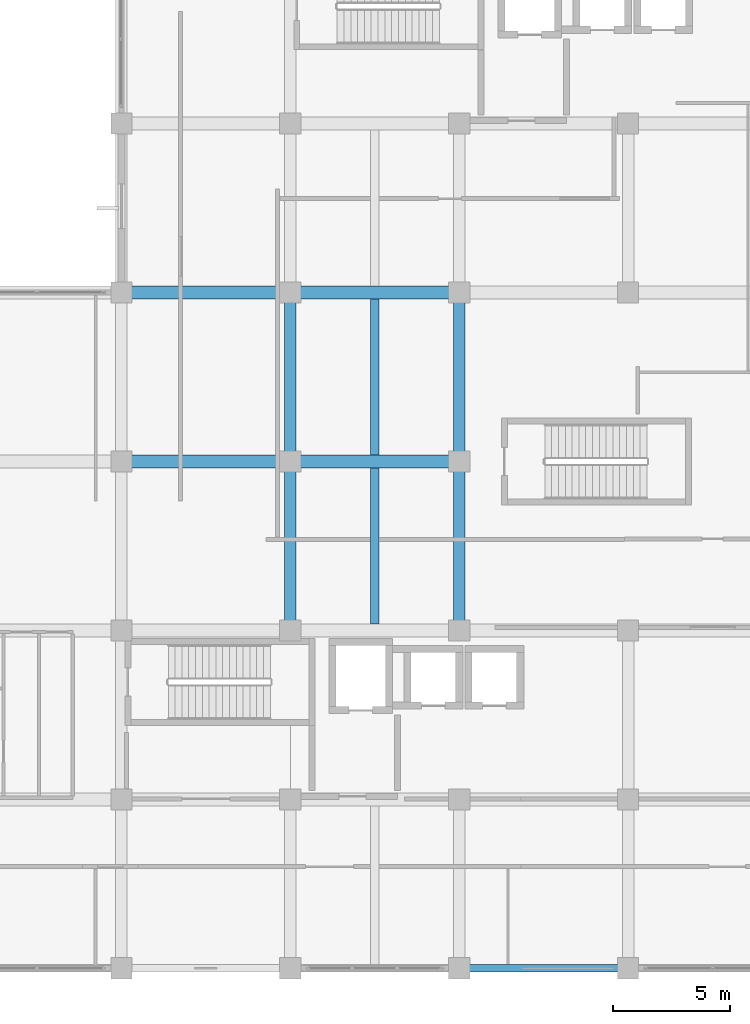
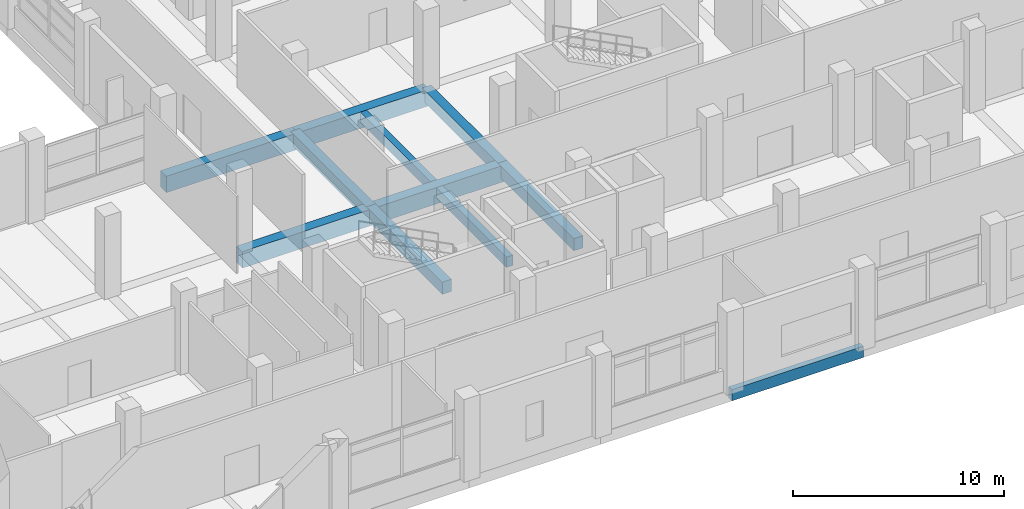
# One storey, part 39 of 181: 11 beams.
"""IFC4 building model written with IfcOpenShell, lengths in metres."""

from ifc_helpers import new_model, si_unit, direction, frame, origin, origin_2d, place, context, subcontext, project, spatial, rectangle, extrude, material, material_profile, profile_set, type_object, element, save


model = new_model("IFC4")

# Units and contexts
model_context = context("Model", 3, precision=1e-05, world=origin(), true_north=direction((0.0, 1.0)))
body_context = subcontext(model_context, "Body", "Model", "MODEL_VIEW")
ifc_project = project(units=[si_unit("LENGTHUNIT", "METRE"), si_unit("AREAUNIT", "SQUARE_METRE"), si_unit("VOLUMEUNIT", "CUBIC_METRE"), si_unit("PLANEANGLEUNIT", "RADIAN"), si_unit("MASSUNIT", "GRAM", prefix="KILO")], contexts=[model_context])

# Site, building, storey
site_placement = place(None, origin())
site = spatial("IfcSite", under=ifc_project, at=site_placement, CompositionType="ELEMENT")
building_placement = place(site_placement, origin())
building = spatial("IfcBuilding", under=site, at=building_placement, Name="Seraya Terrace Polytechnic", CompositionType="ELEMENT")
storey_placement = place(building_placement, frame((0.0, 0.0, 4.800048828125)))
storey = spatial("IfcBuildingStorey", under=building, at=storey_placement, Name="L01", CompositionType="ELEMENT", Elevation=4.800048828125)

# Beams
ifc_material = material(Name="Concrete C40/50", Category="concrete")
ifc_material_profile_1 = material_profile(ifc_material, rectangle(XDim=0.550048828125, YDim=0.949951171875, at=origin_2d()), Name="RC 550x950")
ifc_profile_set_1 = profile_set([ifc_material_profile_1], Name="Concrete C40/50")
beam_type_1 = type_object("IfcBeamType", Name="BM-03", PredefinedType="BEAM", material=ifc_profile_set_1)
beam_1_placement = place(storey_placement, frame((79.199951171875, 21.60009765625, -0.47509765625), z_axis=(1.0, 0.0, 0.0), x_axis=(0.0, 1.0, 0.0)))
element("IfcBeam", 1, at=beam_1_placement, inside=storey, type_object=beam_type_1, Name="Beam BM-03 L01 X (79.2..86.4, 21.6)", PredefinedType="BEAM", context=body_context, shape_type="SweptSolid", body=[
    extrude(rectangle(XDim=0.550048828125, YDim=0.949951171875, at=origin_2d()), origin(), (0.0, 0.0, 1.0), 7.199951171875),
])
beam_2_placement = place(storey_placement, frame((86.39990234375, 21.60009765625, -0.47509765625), z_axis=(1.0, 0.0, 0.0), x_axis=(0.0, 1.0, 0.0)))
element("IfcBeam", 2, at=beam_2_placement, inside=storey, type_object=beam_type_1, Name="Beam BM-03 L01 X (86.4..93.6, 21.6)", PredefinedType="BEAM", context=body_context, shape_type="SweptSolid", body=[
    extrude(rectangle(XDim=0.550048828125, YDim=0.949951171875, at=origin_2d()), origin(), (0.0, 0.0, 1.0), 7.2001953125),
])
beam_3_placement = place(storey_placement, frame((79.199951171875, 28.800048828125, -0.47509765625), z_axis=(1.0, 0.0, 0.0), x_axis=(0.0, 1.0, 0.0)))
element("IfcBeam", 3, at=beam_3_placement, inside=storey, type_object=beam_type_1, Name="Beam BM-03 L01 X (79.2..86.4, 28.8)", PredefinedType="BEAM", context=body_context, shape_type="SweptSolid", body=[
    extrude(rectangle(XDim=0.550048828125, YDim=0.949951171875, at=origin_2d()), origin(), (0.0, 0.0, 1.0), 7.199951171875),
])
beam_4_placement = place(storey_placement, frame((86.39990234375, 28.800048828125, -0.47509765625), z_axis=(1.0, 0.0, 0.0), x_axis=(0.0, 1.0, 0.0)))
element("IfcBeam", 4, at=beam_4_placement, inside=storey, type_object=beam_type_1, Name="Beam BM-03 L01 X (86.4..93.6, 28.8)", PredefinedType="BEAM", context=body_context, shape_type="SweptSolid", body=[
    extrude(rectangle(XDim=0.550048828125, YDim=0.949951171875, at=origin_2d()), origin(), (0.0, 0.0, 1.0), 7.2001953125),
])
ifc_material_profile_2 = material_profile(ifc_material, rectangle(XDim=0.5, YDim=0.699951171875, at=origin_2d()), Name="RC 500x700")
ifc_profile_set_2 = profile_set([ifc_material_profile_2], Name="Concrete C40/50")
beam_type_2 = type_object("IfcBeamType", Name="BM-07", PredefinedType="BEAM", material=ifc_profile_set_2)
beam_5_placement = place(storey_placement, frame((86.39990234375, 14.39990234375, -0.35009765625), z_axis=(0.0, 1.0, 0.0), x_axis=(-1.0, 0.0, 0.0)))
element("IfcBeam", 5, at=beam_5_placement, inside=storey, type_object=beam_type_2, Name="Beam BM-07 L01 Y (86.4, 14.4..21.6)", PredefinedType="BEAM", context=body_context, shape_type="SweptSolid", body=[
    extrude(rectangle(XDim=0.5, YDim=0.699951171875, at=origin_2d()), origin(), (0.0, 0.0, 1.0), 7.2001953125),
])
beam_6_placement = place(storey_placement, frame((86.39990234375, 21.60009765625, -0.35009765625), z_axis=(0.0, 1.0, 0.0), x_axis=(-1.0, 0.0, 0.0)))
element("IfcBeam", 6, at=beam_6_placement, inside=storey, type_object=beam_type_2, Name="Beam BM-07 L01 Y (86.4, 21.6..28.8)", PredefinedType="BEAM", context=body_context, shape_type="SweptSolid", body=[
    extrude(rectangle(XDim=0.5, YDim=0.699951171875, at=origin_2d()), origin(), (0.0, 0.0, 1.0), 7.199951171875),
])
beam_7_placement = place(storey_placement, frame((93.60009765625, 14.39990234375, -0.35009765625), z_axis=(0.0, 1.0, 0.0), x_axis=(-1.0, 0.0, 0.0)))
element("IfcBeam", 7, at=beam_7_placement, inside=storey, type_object=beam_type_2, Name="Beam BM-07 L01 Y (93.6, 14.4..21.6)", PredefinedType="BEAM", context=body_context, shape_type="SweptSolid", body=[
    extrude(rectangle(XDim=0.5, YDim=0.699951171875, at=origin_2d()), origin(), (0.0, 0.0, 1.0), 7.2001953125),
])
beam_8_placement = place(storey_placement, frame((93.60009765625, 21.60009765625, -0.35009765625), z_axis=(0.0, 1.0, 0.0), x_axis=(-1.0, 0.0, 0.0)))
element("IfcBeam", 8, at=beam_8_placement, inside=storey, type_object=beam_type_2, Name="Beam BM-07 L01 Y (93.6, 21.6..28.8)", PredefinedType="BEAM", context=body_context, shape_type="SweptSolid", body=[
    extrude(rectangle(XDim=0.5, YDim=0.699951171875, at=origin_2d()), origin(), (0.0, 0.0, 1.0), 7.199951171875),
])
ifc_material_profile_3 = material_profile(ifc_material, rectangle(XDim=0.35009765625, YDim=0.60009765625, at=origin_2d()), Name="RC 350x600")
ifc_profile_set_3 = profile_set([ifc_material_profile_3], Name="Concrete C40/50")
beam_type_3 = type_object("IfcBeamType", Name="JS-02", PredefinedType="JOIST", material=ifc_profile_set_3)
for number, where, z_axis, x_axis, name in (
    (9, (90.0, 14.675048828125, -0.300048828125), (0.0, 1.0, 0.0), (-1.0, 0.0, 0.0), "Secondary joist JS-02 L01"),
    (10, (90.0, 21.875, -0.300048828125), (0.0, 1.0, 0.0), (-1.0, 0.0, 0.0), "Secondary joist JS-02 L01"),
):
    element("IfcBeam", number, at=place(storey_placement, frame(where, z_axis=z_axis, x_axis=x_axis)), inside=storey, type_object=beam_type_3, Name=name, PredefinedType="JOIST", context=body_context, shape_type="SweptSolid", body=[
        extrude(rectangle(XDim=0.35009765625, YDim=0.60009765625, at=origin_2d()), origin(), (0.0, 0.0, 1.0), 6.64990234375),
    ])
ifc_material_profile_4 = material_profile(ifc_material, rectangle(XDim=0.300048828125, YDim=0.64990234375, at=origin_2d()), Name="RC 300x650")
ifc_profile_set_4 = profile_set([ifc_material_profile_4], Name="Concrete C40/50")
beam_type_4 = type_object("IfcBeamType", Name="SP-01", PredefinedType="SPANDREL", material=ifc_profile_set_4)
beam_9_placement = place(storey_placement, frame((93.60009765625, 0.0, -0.324951171875), z_axis=(1.0, 0.0, 0.0), x_axis=(0.0, 1.0, 0.0)))
element("IfcBeam", 11, at=beam_9_placement, inside=storey, type_object=beam_type_4, Name="Beam SP-01 L01 X (93.6..100.8, 0.0)", PredefinedType="SPANDREL", context=body_context, shape_type="SweptSolid", body=[
    extrude(rectangle(XDim=0.300048828125, YDim=0.64990234375, at=origin_2d()), origin(), (0.0, 0.0, 1.0), 7.199951171875),
])

save(model, "model.ifc")
